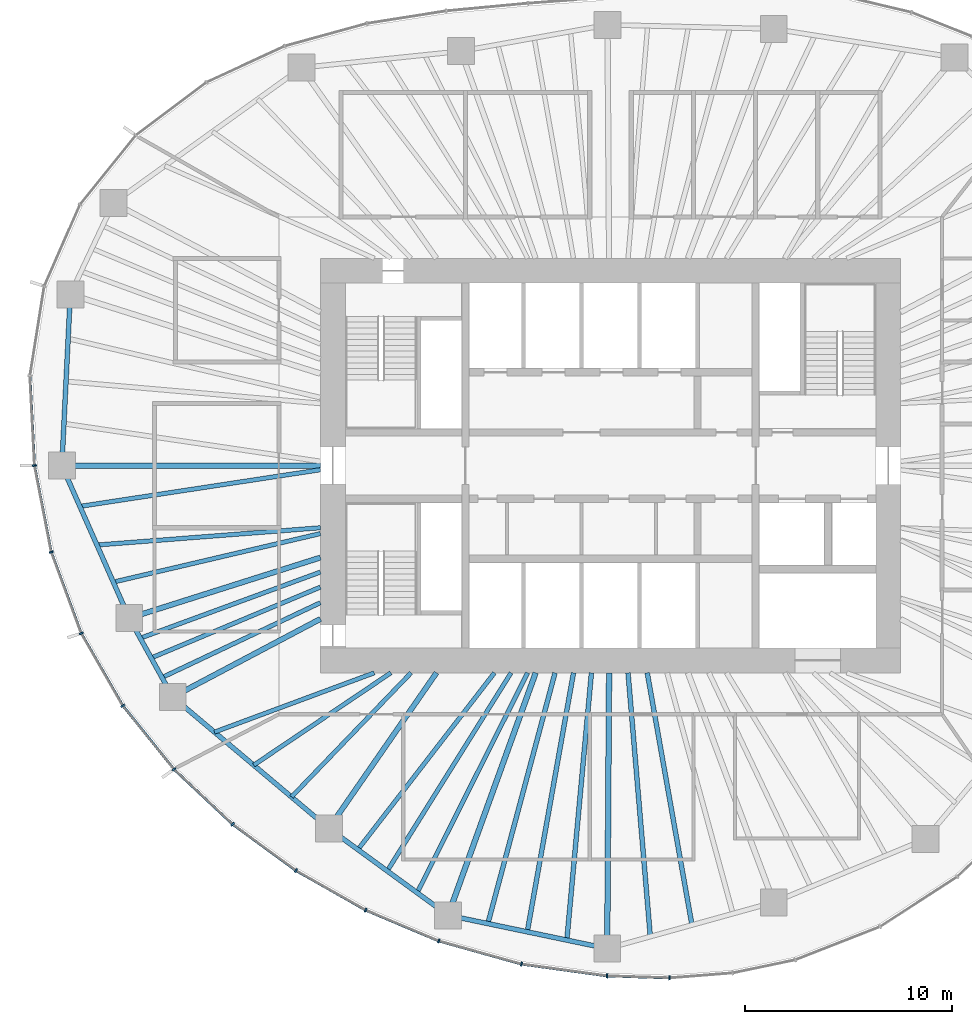
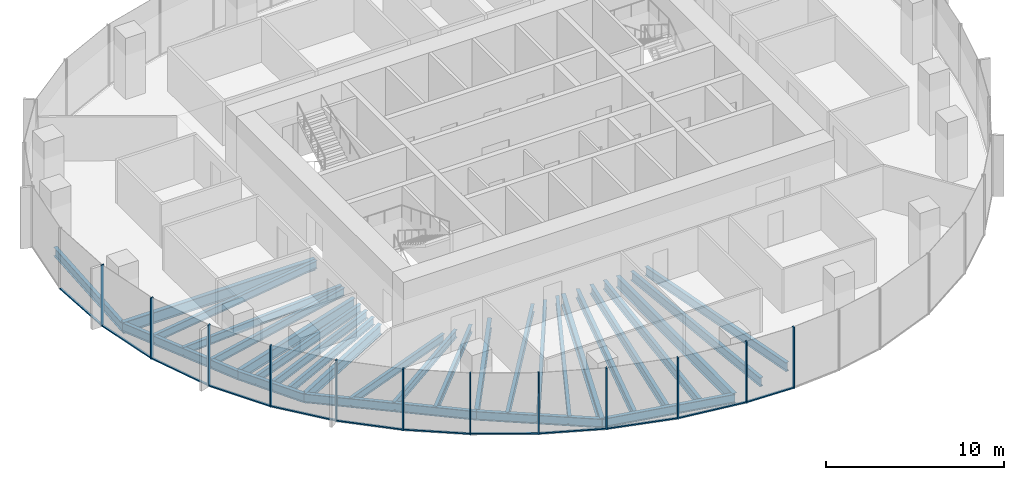
# One storey, part 2 of 11: 29 beams, 24 members, 7 elements without a shape of their own.
"""IFC4 building model written with IfcOpenShell, lengths in metres."""

from ifc_helpers import new_model, si_unit, direction, frame, origin, origin_2d, place, context, subcontext, project, spatial, rectangle, i_section, extrude, material, material_profile, profile_set, type_object, element, aggregate, save


model = new_model("IFC4")

# Units and contexts
model_context = context("Model", 3, precision=1e-05, world=origin(), true_north=direction((0.0, 1.0)))
body_context = subcontext(model_context, "Body", "Model", "MODEL_VIEW")
ifc_project = project(units=[si_unit("LENGTHUNIT", "METRE"), si_unit("AREAUNIT", "SQUARE_METRE"), si_unit("VOLUMEUNIT", "CUBIC_METRE"), si_unit("PLANEANGLEUNIT", "RADIAN"), si_unit("MASSUNIT", "GRAM", prefix="KILO")], contexts=[model_context])

# Site, building, storey
site_placement = place(None, origin())
site = spatial("IfcSite", under=ifc_project, at=site_placement, CompositionType="ELEMENT")
building_placement = place(site_placement, origin())
building = spatial("IfcBuilding", under=site, at=building_placement, Name="Ghaith Harvest Tower", CompositionType="ELEMENT")
storey_placement = place(building_placement, frame((0.0, 0.0, 215.800048828125)))
storey = spatial("IfcBuildingStorey", under=building, at=storey_placement, Name="L47", CompositionType="ELEMENT", Elevation=215.800048828125)

# Curtain wall, members
ifc_material_1 = material(Name="Black anodised aluminium and fritted glass", Category="aluminium")
curtain_wall_type = type_object("IfcCurtainWallType", Name="CW-H CURTAIN WALL", PredefinedType="NOTDEFINED", material=ifc_material_1)
curtain_wall_1_placement = place(storey_placement, origin())
curtain_wall_1 = element("IfcCurtainWall", 1, at=curtain_wall_1_placement, inside=storey, type_object=curtain_wall_type, Name="Curtain wall CW-H bay 11 L47", PredefinedType="NOTDEFINED")
ifc_material_2 = material(Name="Aluminium, black anodised", Category="aluminium")
ifc_material_profile_1 = material_profile(ifc_material_2, rectangle(XDim=0.080078125, YDim=0.199951171875, at=origin_2d()), Name="CW-H MULLION 80x200")
ifc_profile_set_1 = profile_set([ifc_material_profile_1], Name="Aluminium, black anodised")
member_type_1 = type_object("IfcMemberType", Name="CW-H MULLION 80x200", PredefinedType="MULLION", material=ifc_profile_set_1)
member_1_placement = place(storey_placement, frame((-27.794921875, 0.0, 0.0), z_axis=(0.0, 0.0, 1.0), x_axis=(0.12024996575, -0.992743645528, 0.0)))
member_1 = element("IfcMember", 2, at=member_1_placement, type_object=member_type_1, Name="CW-H mullion 1 bay 11 L47", PredefinedType="MULLION", context=body_context, shape_type="SweptSolid", body=[
    extrude(rectangle(XDim=0.080078125, YDim=0.199951171875, at=origin_2d()), origin(), (0.0, 0.0, 1.0), 4.199951171875),
])
member_2_placement = place(storey_placement, frame((-26.9853515625, -4.173828125, 0.0), z_axis=(0.0, 0.0, 1.0), x_axis=(0.268568830903, -0.963260495955, 0.0)))
member_2 = element("IfcMember", 3, at=member_2_placement, type_object=member_type_1, Name="CW-H mullion 2 bay 11 L47", PredefinedType="MULLION", context=body_context, shape_type="SweptSolid", body=[
    extrude(rectangle(XDim=0.080078125, YDim=0.199951171875, at=origin_2d()), origin(), (0.0, 0.0, 1.0), 4.199951171875),
])

curtain_wall_2_placement = place(storey_placement, origin())
curtain_wall_2 = element("IfcCurtainWall", 4, at=curtain_wall_2_placement, inside=storey, type_object=curtain_wall_type, Name="Curtain wall CW-H bay 12 L47", PredefinedType="NOTDEFINED")
member_3_placement = place(storey_placement, frame((-25.538330078125, -8.093505859375, 0.0), z_axis=(0.0, 0.0, 1.0), x_axis=(0.422308650185, -0.906452096903, 0.0)))
member_3 = element("IfcMember", 5, at=member_3_placement, type_object=member_type_1, Name="CW-H mullion 1 bay 12 L47", PredefinedType="MULLION", context=body_context, shape_type="SweptSolid", body=[
    extrude(rectangle(XDim=0.080078125, YDim=0.199951171875, at=origin_2d()), origin(), (0.0, 0.0, 1.0), 4.199951171875),
])
member_4_placement = place(storey_placement, frame((-23.533203125, -11.58349609375, 0.0), z_axis=(0.0, 0.0, 1.0), x_axis=(0.563616546013, -0.826036554312, 0.0)))
member_4 = element("IfcMember", 6, at=member_4_placement, type_object=member_type_1, Name="CW-H mullion 2 bay 12 L47", PredefinedType="MULLION", context=body_context, shape_type="SweptSolid", body=[
    extrude(rectangle(XDim=0.080078125, YDim=0.199951171875, at=origin_2d()), origin(), (0.0, 0.0, 1.0), 4.199951171875),
])

curtain_wall_3_placement = place(storey_placement, origin())
curtain_wall_3 = element("IfcCurtainWall", 7, at=curtain_wall_3_placement, inside=storey, type_object=curtain_wall_type, Name="Curtain wall CW-H bay 13 L47", PredefinedType="NOTDEFINED")
member_5_placement = place(storey_placement, frame((-21.0615234375, -14.65478515625, 0.0), z_axis=(0.0, 0.0, 1.0), x_axis=(0.679181589754, -0.733970277422, 0.0)))
member_5 = element("IfcMember", 8, at=member_5_placement, type_object=member_type_1, Name="CW-H mullion 1 bay 13 L47", PredefinedType="MULLION", context=body_context, shape_type="SweptSolid", body=[
    extrude(rectangle(XDim=0.080078125, YDim=0.199951171875, at=origin_2d()), origin(), (0.0, 0.0, 1.0), 4.199951171875),
])
member_6_placement = place(storey_placement, frame((-18.238037109375, -17.30615234375, 0.0), z_axis=(0.0, 0.0, 1.0), x_axis=(0.769216709506, -0.638987991919, 0.0)))
member_6 = element("IfcMember", 9, at=member_6_placement, type_object=member_type_1, Name="CW-H mullion 2 bay 13 L47", PredefinedType="MULLION", context=body_context, shape_type="SweptSolid", body=[
    extrude(rectangle(XDim=0.080078125, YDim=0.199951171875, at=origin_2d()), origin(), (0.0, 0.0, 1.0), 4.199951171875),
])

curtain_wall_4_placement = place(storey_placement, origin())
curtain_wall_4 = element("IfcCurtainWall", 10, at=curtain_wall_4_placement, inside=storey, type_object=curtain_wall_type, Name="Curtain wall CW-H bay 14 L47", PredefinedType="NOTDEFINED")
member_7_placement = place(storey_placement, frame((-15.177490234375, -19.542724609375, 0.0), z_axis=(0.0, 0.0, 1.0), x_axis=(0.840233591157, -0.5422245958, 0.0)))
member_7 = element("IfcMember", 11, at=member_7_placement, type_object=member_type_1, Name="CW-H mullion 1 bay 14 L47", PredefinedType="MULLION", context=body_context, shape_type="SweptSolid", body=[
    extrude(rectangle(XDim=0.080078125, YDim=0.199951171875, at=origin_2d()), origin(), (0.0, 0.0, 1.0), 4.199951171875),
])
member_8_placement = place(storey_placement, frame((-11.815185546875, -21.45068359375, 0.0), z_axis=(0.0, 0.0, 1.0), x_axis=(0.896852966189, -0.442328788389, 0.0)))
member_8 = element("IfcMember", 12, at=member_8_placement, type_object=member_type_1, Name="CW-H mullion 2 bay 14 L47", PredefinedType="MULLION", context=body_context, shape_type="SweptSolid", body=[
    extrude(rectangle(XDim=0.080078125, YDim=0.199951171875, at=origin_2d()), origin(), (0.0, 0.0, 1.0), 4.199951171875),
])

curtain_wall_5_placement = place(storey_placement, origin())
curtain_wall_5 = element("IfcCurtainWall", 13, at=curtain_wall_5_placement, inside=storey, type_object=curtain_wall_type, Name="Curtain wall CW-H bay 15 L47", PredefinedType="NOTDEFINED")
member_9_placement = place(storey_placement, frame((-8.285888671875, -22.941650390625, 0.0), z_axis=(0.0, 0.0, 1.0), x_axis=(0.944906041636, -0.327341675439, 0.0)))
member_9 = element("IfcMember", 14, at=member_9_placement, type_object=member_type_1, Name="CW-H mullion 1 bay 15 L47", PredefinedType="MULLION", context=body_context, shape_type="SweptSolid", body=[
    extrude(rectangle(XDim=0.080078125, YDim=0.199951171875, at=origin_2d()), origin(), (0.0, 0.0, 1.0), 4.199951171875),
])
member_10_placement = place(storey_placement, frame((-4.2958984375, -24.0556640625, 0.0), z_axis=(0.0, 0.0, 1.0), x_axis=(0.979161388311, -0.203083666601, 0.0)))
member_10 = element("IfcMember", 15, at=member_10_placement, type_object=member_type_1, Name="CW-H mullion 2 bay 15 L47", PredefinedType="MULLION", context=body_context, shape_type="SweptSolid", body=[
    extrude(rectangle(XDim=0.080078125, YDim=0.199951171875, at=origin_2d()), origin(), (0.0, 0.0, 1.0), 4.199951171875),
])

curtain_wall_6_placement = place(storey_placement, origin())
curtain_wall_6 = element("IfcCurtainWall", 16, at=curtain_wall_6_placement, inside=storey, type_object=curtain_wall_type, Name="Curtain wall CW-H bay 16 L47", PredefinedType="NOTDEFINED")
member_11_placement = place(storey_placement, frame((-0.16845703125, -24.625244140625, 0.0), z_axis=(0.0, 0.0, 1.0), x_axis=(0.99568459113, -0.092801912617, 0.0)))
member_11 = element("IfcMember", 17, at=member_11_placement, type_object=member_type_1, Name="CW-H mullion 1 bay 16 L47", PredefinedType="MULLION", context=body_context, shape_type="SweptSolid", body=[
    extrude(rectangle(XDim=0.080078125, YDim=0.199951171875, at=origin_2d()), origin(), (0.0, 0.0, 1.0), 4.199951171875),
])
member_12_placement = place(storey_placement, frame((2.84765625, -24.721435546875, 0.0), z_axis=(0.0, 0.0, 1.0), x_axis=(0.999724413906, 0.02347543907, 0.0)))
member_12 = element("IfcMember", 18, at=member_12_placement, type_object=member_type_1, Name="CW-H mullion 2 bay 16 L47", PredefinedType="MULLION", context=body_context, shape_type="SweptSolid", body=[
    extrude(rectangle(XDim=0.080078125, YDim=0.199951171875, at=origin_2d()), origin(), (0.0, 0.0, 1.0), 4.199951171875),
])

# Curtain wall, member
curtain_wall_7_placement = place(storey_placement, origin())
curtain_wall_7 = element("IfcCurtainWall", 19, at=curtain_wall_7_placement, inside=storey, type_object=curtain_wall_type, Name="Curtain wall CW-H bay 10 L47", PredefinedType="NOTDEFINED")
ifc_material_3 = material(Name="Aluminium, black anodised", Category="aluminium")
ifc_material_profile_2 = material_profile(ifc_material_3, rectangle(XDim=0.1298828125, YDim=0.080078125, at=origin_2d()), Name="CW-H TRANSOM 130x80")
ifc_profile_set_2 = profile_set([ifc_material_profile_2], Name="Aluminium, black anodised")
member_type_2 = type_object("IfcMemberType", Name="CW-H TRANSOM 130x80", PredefinedType="USERDEFINED", material=ifc_profile_set_2)
member_13_placement = place(storey_placement, frame((-28.013671875, 4.293212890625, 0.0400390625), z_axis=(0.05084969311, -0.998706317548, 0.0), x_axis=(0.998706317548, 0.05084969311, 0.0)))
member_13 = element("IfcMember", 20, at=member_13_placement, type_object=member_type_2, Name="CW-H transom 2 bay 10 L47", ObjectType="TRANSOM", PredefinedType="USERDEFINED", context=body_context, shape_type="SweptSolid", body=[
    extrude(rectangle(XDim=0.1298828125, YDim=0.080078125, at=origin_2d()), origin(), (0.0, 0.0, 1.0), 4.2587890625),
])
aggregate(curtain_wall_7, [member_13])

# Member
member_14_placement = place(storey_placement, frame((-27.787353515625, -0.039306640625, 0.0400390625), z_axis=(0.190440428338, -0.981698753821, 0.0), x_axis=(0.981698753821, 0.190440428338, 0.0)))
member_14 = element("IfcMember", 21, at=member_14_placement, type_object=member_type_2, Name="CW-H transom 1 bay 11 L47", ObjectType="TRANSOM", PredefinedType="USERDEFINED", context=body_context, shape_type="SweptSolid", body=[
    extrude(rectangle(XDim=0.1298828125, YDim=0.080078125, at=origin_2d()), origin(), (0.0, 0.0, 1.0), 4.171630859375),
])

member_15_placement = place(storey_placement, frame((-26.971435546875, -4.21142578125, 0.0400390625), z_axis=(0.346287782987, -0.93812833416, 0.0), x_axis=(0.93812833416, 0.346287782987, 0.0)))
member_15 = element("IfcMember", 22, at=member_15_placement, type_object=member_type_2, Name="CW-H transom 2 bay 11 L47", ObjectType="TRANSOM", PredefinedType="USERDEFINED", context=body_context, shape_type="SweptSolid", body=[
    extrude(rectangle(XDim=0.1298828125, YDim=0.080078125, at=origin_2d()), origin(), (0.0, 0.0, 1.0), 4.098388671875),
])

aggregate(curtain_wall_1, [member_1, member_14, member_2, member_15])

member_16_placement = place(storey_placement, frame((-25.5185546875, -8.128173828125, 0.0400390625), z_axis=(0.498176929488, -0.86707539864, 0.0), x_axis=(0.86707539864, 0.498176929488, 0.0)))
member_16 = element("IfcMember", 23, at=member_16_placement, type_object=member_type_2, Name="CW-H transom 1 bay 12 L47", ObjectType="TRANSOM", PredefinedType="USERDEFINED", context=body_context, shape_type="SweptSolid", body=[
    extrude(rectangle(XDim=0.1298828125, YDim=0.080078125, at=origin_2d()), origin(), (0.0, 0.0, 1.0), 3.945068359375),
])

member_17_placement = place(storey_placement, frame((-23.508056640625, -11.61474609375, 0.0400390625), z_axis=(0.626958878139, -0.779052350694, 0.0), x_axis=(0.779052350694, 0.626958878139, 0.0)))
member_17 = element("IfcMember", 24, at=member_17_placement, type_object=member_type_2, Name="CW-H transom 2 bay 12 L47", ObjectType="TRANSOM", PredefinedType="USERDEFINED", context=body_context, shape_type="SweptSolid", body=[
    extrude(rectangle(XDim=0.1298828125, YDim=0.080078125, at=origin_2d()), origin(), (0.0, 0.0, 1.0), 3.862060546875),
])

aggregate(curtain_wall_2, [member_3, member_16, member_4, member_17])

member_18_placement = place(storey_placement, frame((-21.032470703125, -14.68212890625, 0.0400390625), z_axis=(0.729025183709, -0.684486874613, 0.0), x_axis=(0.684486874613, 0.729025183709, 0.0)))
member_18 = element("IfcMember", 25, at=member_18_placement, type_object=member_type_2, Name="CW-H transom 1 bay 13 L47", ObjectType="TRANSOM", PredefinedType="USERDEFINED", context=body_context, shape_type="SweptSolid", body=[
    extrude(rectangle(XDim=0.1298828125, YDim=0.080078125, at=origin_2d()), origin(), (0.0, 0.0, 1.0), 3.793212890625),
])

member_19_placement = place(storey_placement, frame((-18.20556640625, -17.32958984375, 0.0400390625), z_axis=(0.807368217185, -0.590047931849, 0.0), x_axis=(0.590047931849, 0.807368217185, 0.0)))
member_19 = element("IfcMember", 26, at=member_19_placement, type_object=member_type_2, Name="CW-H transom 2 bay 13 L47", ObjectType="TRANSOM", PredefinedType="USERDEFINED", context=body_context, shape_type="SweptSolid", body=[
    extrude(rectangle(XDim=0.1298828125, YDim=0.080078125, at=origin_2d()), origin(), (0.0, 0.0, 1.0), 3.710693359375),
])

aggregate(curtain_wall_3, [member_5, member_18, member_6, member_19])

member_20_placement = place(storey_placement, frame((-15.142822265625, -19.5625, 0.0400390625), z_axis=(0.869735291487, -0.493518513068, 0.0), x_axis=(0.493518513068, 0.869735291487, 0.0)))
member_20 = element("IfcMember", 27, at=member_20_placement, type_object=member_type_2, Name="CW-H transom 1 bay 14 L47", ObjectType="TRANSOM", PredefinedType="USERDEFINED", context=body_context, shape_type="SweptSolid", body=[
    extrude(rectangle(XDim=0.1298828125, YDim=0.080078125, at=origin_2d()), origin(), (0.0, 0.0, 1.0), 3.785888671875),
])

member_21_placement = place(storey_placement, frame((-11.7783203125, -21.46630859375, 0.0400390625), z_axis=(0.921182691948, -0.38913037411, 0.0), x_axis=(0.38913037411, 0.921182691948, 0.0)))
member_21 = element("IfcMember", 28, at=member_21_placement, type_object=member_type_2, Name="CW-H transom 2 bay 14 L47", ObjectType="TRANSOM", PredefinedType="USERDEFINED", context=body_context, shape_type="SweptSolid", body=[
    extrude(rectangle(XDim=0.1298828125, YDim=0.080078125, at=origin_2d()), origin(), (0.0, 0.0, 1.0), 3.751220703125),
])

aggregate(curtain_wall_4, [member_7, member_20, member_8, member_21])

member_22_placement = place(storey_placement, frame((-8.24755859375, -22.952392578125, 0.0400390625), z_axis=(0.963164092269, -0.268914356932, 0.0), x_axis=(0.268914356932, 0.963164092269, 0.0)))
member_22 = element("IfcMember", 29, at=member_22_placement, type_object=member_type_2, Name="CW-H transom 1 bay 15 L47", ObjectType="TRANSOM", PredefinedType="USERDEFINED", context=body_context, shape_type="SweptSolid", body=[
    extrude(rectangle(XDim=0.1298828125, YDim=0.080078125, at=origin_2d()), origin(), (0.0, 0.0, 1.0), 4.062744140625),
])

member_23_placement = place(storey_placement, frame((-4.25634765625, -24.06103515625, 0.0400390625), z_axis=(0.990605228149, -0.136752630555, 0.0), x_axis=(0.136752630555, 0.990605228149, 0.0)))
member_23 = element("IfcMember", 30, at=member_23_placement, type_object=member_type_2, Name="CW-H transom 2 bay 15 L47", ObjectType="TRANSOM", PredefinedType="USERDEFINED", context=body_context, shape_type="SweptSolid", body=[
    extrude(rectangle(XDim=0.1298828125, YDim=0.080078125, at=origin_2d()), origin(), (0.0, 0.0, 1.0), 4.08642578125),
])

aggregate(curtain_wall_5, [member_9, member_22, member_10, member_23])

member_24_placement = place(storey_placement, frame((-0.128662109375, -24.62646484375, 0.0400390625), z_axis=(0.999490770233, -0.031909249731, 0.0), x_axis=(0.031909249731, 0.999490770233, 0.0)))
member_24 = element("IfcMember", 31, at=member_24_placement, type_object=member_type_2, Name="CW-H transom 1 bay 16 L47", ObjectType="TRANSOM", PredefinedType="USERDEFINED", context=body_context, shape_type="SweptSolid", body=[
    extrude(rectangle(XDim=0.1298828125, YDim=0.080078125, at=origin_2d()), origin(), (0.0, 0.0, 1.0), 2.93798828125),
])

aggregate(curtain_wall_6, [member_11, member_24, member_12])

# Beams
ifc_material_4 = material(Name="Steel ASTM A992 Grade 50", Category="steel")
ifc_material_profile_3 = material_profile(ifc_material_4, i_section(OverallWidth=0.22900390625, OverallDepth=0.612060546875, WebThickness=0.011962890625, FlangeThickness=0.01953125, at=origin_2d()), Name="W610X125")
ifc_profile_set_3 = profile_set([ifc_material_profile_3], Name="Steel ASTM A992 Grade 50")
beam_type_1 = type_object("IfcBeamType", Name="E610-125 W610X125", PredefinedType="SPANDREL", material=ifc_profile_set_3)
beam_1_placement = place(storey_placement, frame((-26.06689453125, 8.260986328125, -0.47607421875), z_axis=(-0.049353148492, -0.998781390863, 0.0), x_axis=(0.998781390863, -0.049353148492, 0.0)))
element("IfcBeam", 32, at=beam_1_placement, inside=storey, type_object=beam_type_1, Name="Edge beam E10 L47", PredefinedType="SPANDREL", context=body_context, shape_type="SweptSolid", body=[
    extrude(i_section(OverallWidth=0.22900390625, OverallDepth=0.612060546875, WebThickness=0.011962890625, FlangeThickness=0.01953125, at=origin_2d()), origin(), (0.0, 0.0, 1.0), 8.27099609375),
])
beam_2_placement = place(storey_placement, frame((-26.47509765625, 0.0, -0.47607421875), z_axis=(0.404042817399, -0.914740073304, 0.0), x_axis=(0.914740073304, 0.404042817399, 0.0)))
element("IfcBeam", 33, at=beam_2_placement, inside=storey, type_object=beam_type_1, Name="Edge beam E11 L47", PredefinedType="SPANDREL", context=body_context, shape_type="SweptSolid", body=[
    extrude(i_section(OverallWidth=0.22900390625, OverallDepth=0.612060546875, WebThickness=0.011962890625, FlangeThickness=0.01953125, at=origin_2d()), origin(), (0.0, 0.0, 1.0), 8.046142578125),
])
beam_3_placement = place(storey_placement, frame((-23.22412109375, -7.360107421875, -0.47607421875), z_axis=(0.482955575345, -0.875644855089, 0.0), x_axis=(0.875644855089, 0.482955575345, 0.0)))
element("IfcBeam", 34, at=beam_3_placement, inside=storey, type_object=beam_type_1, Name="Edge beam E12 L47", PredefinedType="SPANDREL", context=body_context, shape_type="SweptSolid", body=[
    extrude(i_section(OverallWidth=0.22900390625, OverallDepth=0.612060546875, WebThickness=0.011962890625, FlangeThickness=0.01953125, at=origin_2d()), origin(), (0.0, 0.0, 1.0), 4.346435546875),
])
beam_4_placement = place(storey_placement, frame((-21.125, -11.166015625, -0.47607421875), z_axis=(0.765021818761, -0.64400436087, 0.0), x_axis=(0.64400436087, 0.765021818761, 0.0)))
element("IfcBeam", 35, at=beam_4_placement, inside=storey, type_object=beam_type_1, Name="Edge beam E13 L47", PredefinedType="SPANDREL", context=body_context, shape_type="SweptSolid", body=[
    extrude(i_section(OverallWidth=0.22900390625, OverallDepth=0.612060546875, WebThickness=0.011962890625, FlangeThickness=0.01953125, at=origin_2d()), origin(), (0.0, 0.0, 1.0), 9.8427734375),
])
beam_5_placement = place(storey_placement, frame((-13.594970703125, -17.5048828125, -0.47607421875), z_axis=(0.808194782503, -0.588915268553, 0.0), x_axis=(0.588915268553, 0.808194782503, 0.0)))
element("IfcBeam", 36, at=beam_5_placement, inside=storey, type_object=beam_type_1, Name="Edge beam E14 L47", PredefinedType="SPANDREL", context=body_context, shape_type="SweptSolid", body=[
    extrude(i_section(OverallWidth=0.22900390625, OverallDepth=0.612060546875, WebThickness=0.011962890625, FlangeThickness=0.01953125, at=origin_2d()), origin(), (0.0, 0.0, 1.0), 7.123291015625),
])
beam_6_placement = place(storey_placement, frame((-7.837890625, -21.699951171875, -0.47607421875), z_axis=(0.978847910797, -0.20458926543, 0.0), x_axis=(0.20458926543, 0.978847910797, 0.0)))
element("IfcBeam", 37, at=beam_6_placement, inside=storey, type_object=beam_type_1, Name="Edge beam E15 L47", PredefinedType="SPANDREL", context=body_context, shape_type="SweptSolid", body=[
    extrude(i_section(OverallWidth=0.22900390625, OverallDepth=0.612060546875, WebThickness=0.011962890625, FlangeThickness=0.01953125, at=origin_2d()), origin(), (0.0, 0.0, 1.0), 7.844970703125),
])
ifc_material_5 = material(Name="Steel ASTM A992 Grade 50", Category="steel")
ifc_material_profile_4 = material_profile(ifc_material_5, i_section(OverallWidth=0.256103515625, OverallDepth=0.693115234375, WebThickness=0.014404296875, FlangeThickness=0.023681640625, at=origin_2d()), Name="W690X170")
ifc_profile_set_4 = profile_set([ifc_material_profile_4], Name="Steel ASTM A992 Grade 50")
beam_type_2 = type_object("IfcBeamType", Name="G690-170 W690X170", PredefinedType="BEAM", material=ifc_profile_set_4)
beam_7_placement = place(storey_placement, frame((-14.0, -4.43701171875, -0.5166015625), z_axis=(-0.953279028151, -0.302091202267, 0.0), x_axis=(0.302091202267, -0.953279028151, 0.0)))
element("IfcBeam", 38, at=beam_7_placement, inside=storey, type_object=beam_type_2, Name="Radial girder G12 L47", PredefinedType="BEAM", context=body_context, shape_type="SweptSolid", body=[
    extrude(i_section(OverallWidth=0.256103515625, OverallDepth=0.693115234375, WebThickness=0.014404296875, FlangeThickness=0.023681640625, at=origin_2d()), origin(), (0.0, 0.0, 1.0), 9.67626953125),
])
beam_8_placement = place(storey_placement, frame((-14.0, -7.39990234375, -0.5166015625), z_axis=(-0.88409279474, -0.46731138472, 0.0), x_axis=(0.46731138472, -0.88409279474, 0.0)))
element("IfcBeam", 39, at=beam_8_placement, inside=storey, type_object=beam_type_2, Name="Radial girder G13 L47", PredefinedType="BEAM", context=body_context, shape_type="SweptSolid", body=[
    extrude(i_section(OverallWidth=0.256103515625, OverallDepth=0.693115234375, WebThickness=0.014404296875, FlangeThickness=0.023681640625, at=origin_2d()), origin(), (0.0, 0.0, 1.0), 8.05908203125),
])
beam_9_placement = place(storey_placement, frame((-8.39990234375, -10.0, -0.5166015625), z_axis=(-0.569164078909, -0.822223966617, 0.0), x_axis=(0.822223966617, -0.569164078909, 0.0)))
element("IfcBeam", 40, at=beam_9_placement, inside=storey, type_object=beam_type_2, Name="Radial girder G14 L47", PredefinedType="BEAM", context=body_context, shape_type="SweptSolid", body=[
    extrude(i_section(OverallWidth=0.256103515625, OverallDepth=0.693115234375, WebThickness=0.014404296875, FlangeThickness=0.023681640625, at=origin_2d()), origin(), (0.0, 0.0, 1.0), 9.12744140625),
])
ifc_material_6 = material(Name="Steel ASTM A992 Grade 50", Category="steel")
ifc_material_profile_5 = material_profile(ifc_material_6, i_section(OverallWidth=0.26806640625, OverallDepth=0.77001953125, WebThickness=0.015625, FlangeThickness=0.025390625, at=origin_2d()), Name="W760X196")
ifc_profile_set_5 = profile_set([ifc_material_profile_5], Name="Steel ASTM A992 Grade 50")
beam_type_3 = type_object("IfcBeamType", Name="G760-196 W760X196", PredefinedType="BEAM", material=ifc_profile_set_5)
beam_10_placement = place(storey_placement, frame((-14.0, 0.0, -0.554931640625), z_axis=(-1.0, 0.0, 0.0), x_axis=(0.0, -1.0, 0.0)))
element("IfcBeam", 41, at=beam_10_placement, inside=storey, type_object=beam_type_3, Name="Radial girder G11 L47", PredefinedType="BEAM", context=body_context, shape_type="SweptSolid", body=[
    extrude(i_section(OverallWidth=0.26806640625, OverallDepth=0.77001953125, WebThickness=0.015625, FlangeThickness=0.025390625, at=origin_2d()), origin(), (0.0, 0.0, 1.0), 12.47509765625),
])
beam_11_placement = place(storey_placement, frame((-3.61181640625, -10.0, -0.554931640625), z_axis=(-0.339722108335, -0.940525857756, 0.0), x_axis=(0.940525857756, -0.339722108335, 0.0)))
element("IfcBeam", 42, at=beam_11_placement, inside=storey, type_object=beam_type_3, Name="Radial girder G15 L47", PredefinedType="BEAM", context=body_context, shape_type="SweptSolid", body=[
    extrude(i_section(OverallWidth=0.26806640625, OverallDepth=0.77001953125, WebThickness=0.015625, FlangeThickness=0.025390625, at=origin_2d()), origin(), (0.0, 0.0, 1.0), 12.439697265625),
])
beam_12_placement = place(storey_placement, frame((-0.068359375, -10.0, -0.554931640625), z_axis=(-0.00680755644, -0.999976828319, 0.0), x_axis=(0.999976828319, -0.00680755644, 0.0)))
element("IfcBeam", 43, at=beam_12_placement, inside=storey, type_object=beam_type_3, Name="Radial girder G16 L47", PredefinedType="BEAM", context=body_context, shape_type="SweptSolid", body=[
    extrude(i_section(OverallWidth=0.26806640625, OverallDepth=0.77001953125, WebThickness=0.015625, FlangeThickness=0.025390625, at=origin_2d()), origin(), (0.0, 0.0, 1.0), 13.30517578125),
])
ifc_material_7 = material(Name="Steel ASTM A992 Grade 50", Category="steel")
ifc_material_profile_6 = material_profile(ifc_material_7, i_section(OverallWidth=0.2109375, OverallDepth=0.5390625, WebThickness=0.01171875, FlangeThickness=0.018798828125, at=origin_2d()), Name="W530X109")
ifc_profile_set_6 = profile_set([ifc_material_profile_6], Name="Steel ASTM A992 Grade 50")
beam_type_4 = type_object("IfcBeamType", Name="J530-109 W530X109", PredefinedType="JOIST", material=ifc_profile_set_6)
beam_13_placement = place(storey_placement, frame((-14.0, -0.199951171875, -0.439453125), z_axis=(-0.988587077715, -0.150650555178, 0.0), x_axis=(0.150650555178, -0.988587077715, 0.0)))
element("IfcBeam", 44, at=beam_13_placement, inside=storey, type_object=beam_type_4, Name="Joist J11.1 L47", PredefinedType="JOIST", context=body_context, shape_type="SweptSolid", body=[
    extrude(i_section(OverallWidth=0.2109375, OverallDepth=0.5390625, WebThickness=0.01171875, FlangeThickness=0.018798828125, at=origin_2d()), origin(), (0.0, 0.0, 1.0), 11.739501953125),
])
beam_14_placement = place(storey_placement, frame((-14.0, -3.0, -0.439453125), z_axis=(-0.997028799301, -0.077029691443, 0.0), x_axis=(0.077029691443, -0.997028799301, 0.0)))
element("IfcBeam", 45, at=beam_14_placement, inside=storey, type_object=beam_type_4, Name="Joist J11.2 L47", PredefinedType="JOIST", context=body_context, shape_type="SweptSolid", body=[
    extrude(i_section(OverallWidth=0.2109375, OverallDepth=0.5390625, WebThickness=0.01171875, FlangeThickness=0.018798828125, at=origin_2d()), origin(), (0.0, 0.0, 1.0), 10.814208984375),
])
beam_15_placement = place(storey_placement, frame((-14.0, -3.280517578125, -0.439453125), z_axis=(-0.97362176086, -0.22816806696, 0.0), x_axis=(0.22816806696, -0.97362176086, 0.0)))
element("IfcBeam", 46, at=beam_15_placement, inside=storey, type_object=beam_type_4, Name="Joist J11.3 L47", PredefinedType="JOIST", context=body_context, shape_type="SweptSolid", body=[
    extrude(i_section(OverallWidth=0.2109375, OverallDepth=0.5390625, WebThickness=0.01171875, FlangeThickness=0.018798828125, at=origin_2d()), origin(), (0.0, 0.0, 1.0), 10.262451171875),
])
beam_16_placement = place(storey_placement, frame((-5.60009765625, -10.0, -0.439453125), z_axis=(-0.611412687895, -0.791311901264, 0.0), x_axis=(0.791311901264, -0.611412687895, 0.0)))
element("IfcBeam", 47, at=beam_16_placement, inside=storey, type_object=beam_type_4, Name="Joist J14.1 L47", PredefinedType="JOIST", context=body_context, shape_type="SweptSolid", body=[
    extrude(i_section(OverallWidth=0.2109375, OverallDepth=0.5390625, WebThickness=0.01171875, FlangeThickness=0.018798828125, at=origin_2d()), origin(), (0.0, 0.0, 1.0), 10.778076171875),
])
beam_17_placement = place(storey_placement, frame((-4.800048828125, -10.0, -0.439453125), z_axis=(-0.529921073682, -0.848046965484, 0.0), x_axis=(0.848046965484, -0.529921073682, 0.0)))
element("IfcBeam", 48, at=beam_17_placement, inside=storey, type_object=beam_type_4, Name="Joist J14.2 L47", PredefinedType="JOIST", context=body_context, shape_type="SweptSolid", body=[
    extrude(i_section(OverallWidth=0.2109375, OverallDepth=0.5390625, WebThickness=0.01171875, FlangeThickness=0.018798828125, at=origin_2d()), origin(), (0.0, 0.0, 1.0), 11.273681640625),
])
beam_18_placement = place(storey_placement, frame((-4.0, -10.0, -0.439453125), z_axis=(-0.448791718068, -0.893636387908, 0.0), x_axis=(0.893636387908, -0.448791718068, 0.0)))
element("IfcBeam", 49, at=beam_18_placement, inside=storey, type_object=beam_type_4, Name="Joist J14.3 L47", PredefinedType="JOIST", context=body_context, shape_type="SweptSolid", body=[
    extrude(i_section(OverallWidth=0.2109375, OverallDepth=0.5390625, WebThickness=0.01171875, FlangeThickness=0.018798828125, at=origin_2d()), origin(), (0.0, 0.0, 1.0), 11.8759765625),
])
ifc_material_8 = material(Name="Steel ASTM A992 Grade 50", Category="steel")
ifc_material_profile_7 = material_profile(ifc_material_8, i_section(OverallWidth=0.208984375, OverallDepth=0.532958984375, WebThickness=0.01025390625, FlangeThickness=0.015625, at=origin_2d()), Name="W530X92")
ifc_profile_set_7 = profile_set([ifc_material_profile_7], Name="Steel ASTM A992 Grade 50")
beam_type_5 = type_object("IfcBeamType", Name="J530-92 W530X92", PredefinedType="JOIST", material=ifc_profile_set_7)
beam_19_placement = place(storey_placement, frame((-14.0, -5.137939453125, -0.4365234375), z_axis=(-0.93877284801, -0.34453670318, 0.0), x_axis=(0.34453670318, -0.93877284801, 0.0)))
element("IfcBeam", 50, at=beam_19_placement, inside=storey, type_object=beam_type_5, Name="Joist J12.1 L47", PredefinedType="JOIST", context=body_context, shape_type="SweptSolid", body=[
    extrude(i_section(OverallWidth=0.208984375, OverallDepth=0.532958984375, WebThickness=0.01025390625, FlangeThickness=0.015625, at=origin_2d()), origin(), (0.0, 0.0, 1.0), 9.25732421875),
])
beam_20_placement = place(storey_placement, frame((-14.0, -5.862548828125, -0.4365234375), z_axis=(-0.922387515293, -0.386265804377, 0.0), x_axis=(0.386265804377, -0.922387515293, 0.0)))
element("IfcBeam", 51, at=beam_20_placement, inside=storey, type_object=beam_type_5, Name="Joist J12.2 L47", PredefinedType="JOIST", context=body_context, shape_type="SweptSolid", body=[
    extrude(i_section(OverallWidth=0.208984375, OverallDepth=0.532958984375, WebThickness=0.01025390625, FlangeThickness=0.015625, at=origin_2d()), origin(), (0.0, 0.0, 1.0), 8.851318359375),
])
beam_21_placement = place(storey_placement, frame((-14.0, -6.614990234375, -0.4365234375), z_axis=(-0.90415786724, -0.427198491462, 0.0), x_axis=(0.427198491462, -0.90415786724, 0.0)))
element("IfcBeam", 52, at=beam_21_placement, inside=storey, type_object=beam_type_5, Name="Joist J12.3 L47", PredefinedType="JOIST", context=body_context, shape_type="SweptSolid", body=[
    extrude(i_section(OverallWidth=0.208984375, OverallDepth=0.532958984375, WebThickness=0.01025390625, FlangeThickness=0.015625, at=origin_2d()), origin(), (0.0, 0.0, 1.0), 8.45361328125),
])
beam_22_placement = place(storey_placement, frame((-11.39990234375, -10.0, -0.4365234375), z_axis=(-0.937594001899, -0.34773191916, 0.0), x_axis=(0.34773191916, -0.937594001899, 0.0)))
element("IfcBeam", 53, at=beam_22_placement, inside=storey, type_object=beam_type_5, Name="Joist J13.1 L47", PredefinedType="JOIST", context=body_context, shape_type="SweptSolid", body=[
    extrude(i_section(OverallWidth=0.208984375, OverallDepth=0.532958984375, WebThickness=0.01025390625, FlangeThickness=0.015625, at=origin_2d()), origin(), (0.0, 0.0, 1.0), 8.225830078125),
])
beam_23_placement = place(storey_placement, frame((-10.60009765625, -10.0, -0.4365234375), z_axis=(-0.829594017544, -0.55836705316, 0.0), x_axis=(0.55836705316, -0.829594017544, 0.0)))
element("IfcBeam", 54, at=beam_23_placement, inside=storey, type_object=beam_type_5, Name="Joist J13.2 L47", PredefinedType="JOIST", context=body_context, shape_type="SweptSolid", body=[
    extrude(i_section(OverallWidth=0.208984375, OverallDepth=0.532958984375, WebThickness=0.01025390625, FlangeThickness=0.015625, at=origin_2d()), origin(), (0.0, 0.0, 1.0), 7.977783203125),
])
beam_24_placement = place(storey_placement, frame((-9.626708984375, -10.0, -0.4365234375), z_axis=(-0.693546892509, -0.720411485119, 0.0), x_axis=(0.720411485119, -0.693546892509, 0.0)))
element("IfcBeam", 55, at=beam_24_placement, inside=storey, type_object=beam_type_5, Name="Joist J13.3 L47", PredefinedType="JOIST", context=body_context, shape_type="SweptSolid", body=[
    extrude(i_section(OverallWidth=0.208984375, OverallDepth=0.532958984375, WebThickness=0.01025390625, FlangeThickness=0.015625, at=origin_2d()), origin(), (0.0, 0.0, 1.0), 8.3154296875),
])
ifc_material_9 = material(Name="Steel ASTM A992 Grade 50", Category="steel")
ifc_material_profile_8 = material_profile(ifc_material_9, i_section(OverallWidth=0.22900390625, OverallDepth=0.612060546875, WebThickness=0.011962890625, FlangeThickness=0.01953125, at=origin_2d()), Name="W610X125")
ifc_profile_set_8 = profile_set([ifc_material_profile_8], Name="Steel ASTM A992 Grade 50")
beam_type_6 = type_object("IfcBeamType", Name="J610-125 W610X125", PredefinedType="JOIST", material=ifc_profile_set_8)
beam_25_placement = place(storey_placement, frame((-2.677978515625, -10.0, -0.47607421875), z_axis=(-0.258683807585, -0.965962052926, 0.0), x_axis=(0.965962052926, -0.258683807585, 0.0)))
element("IfcBeam", 56, at=beam_25_placement, inside=storey, type_object=beam_type_6, Name="Joist J15.1 L47", PredefinedType="JOIST", context=body_context, shape_type="SweptSolid", body=[
    extrude(i_section(OverallWidth=0.22900390625, OverallDepth=0.612060546875, WebThickness=0.011962890625, FlangeThickness=0.01953125, at=origin_2d()), origin(), (0.0, 0.0, 1.0), 12.52783203125),
])
beam_26_placement = place(storey_placement, frame((-1.785888671875, -10.0, -0.47607421875), z_axis=(-0.17579463172, -0.984426862422, 0.0), x_axis=(0.984426862422, -0.17579463172, 0.0)))
element("IfcBeam", 57, at=beam_26_placement, inside=storey, type_object=beam_type_6, Name="Joist J15.2 L47", PredefinedType="JOIST", context=body_context, shape_type="SweptSolid", body=[
    extrude(i_section(OverallWidth=0.22900390625, OverallDepth=0.612060546875, WebThickness=0.011962890625, FlangeThickness=0.01953125, at=origin_2d()), origin(), (0.0, 0.0, 1.0), 12.6962890625),
])
beam_27_placement = place(storey_placement, frame((-0.92041015625, -10.0, -0.47607421875), z_axis=(-0.091645483251, -0.995791697796, 0.0), x_axis=(0.995791697796, -0.091645483251, 0.0)))
element("IfcBeam", 58, at=beam_27_placement, inside=storey, type_object=beam_type_6, Name="Joist J15.3 L47", PredefinedType="JOIST", context=body_context, shape_type="SweptSolid", body=[
    extrude(i_section(OverallWidth=0.22900390625, OverallDepth=0.612060546875, WebThickness=0.011962890625, FlangeThickness=0.01953125, at=origin_2d()), origin(), (0.0, 0.0, 1.0), 12.9521484375),
])
beam_28_placement = place(storey_placement, frame((0.844970703125, -10.0, -0.47607421875), z_axis=(0.084217590158, -0.996447388229, 0.0), x_axis=(0.996447388229, 0.084217590158, 0.0)))
element("IfcBeam", 59, at=beam_28_placement, inside=storey, type_object=beam_type_6, Name="Joist J16.1 L47", PredefinedType="JOIST", context=body_context, shape_type="SweptSolid", body=[
    extrude(i_section(OverallWidth=0.22900390625, OverallDepth=0.612060546875, WebThickness=0.011962890625, FlangeThickness=0.01953125, at=origin_2d()), origin(), (0.0, 0.0, 1.0), 12.772705078125),
])
beam_29_placement = place(storey_placement, frame((1.772705078125, -10.0, -0.47607421875), z_axis=(0.174551600477, -0.984648027861, 0.0), x_axis=(0.984648027861, 0.174551600477, 0.0)))
element("IfcBeam", 60, at=beam_29_placement, inside=storey, type_object=beam_type_6, Name="Joist J16.2 L47", PredefinedType="JOIST", context=body_context, shape_type="SweptSolid", body=[
    extrude(i_section(OverallWidth=0.22900390625, OverallDepth=0.612060546875, WebThickness=0.011962890625, FlangeThickness=0.01953125, at=origin_2d()), origin(), (0.0, 0.0, 1.0), 12.358642578125),
])

save(model, "model.ifc")
